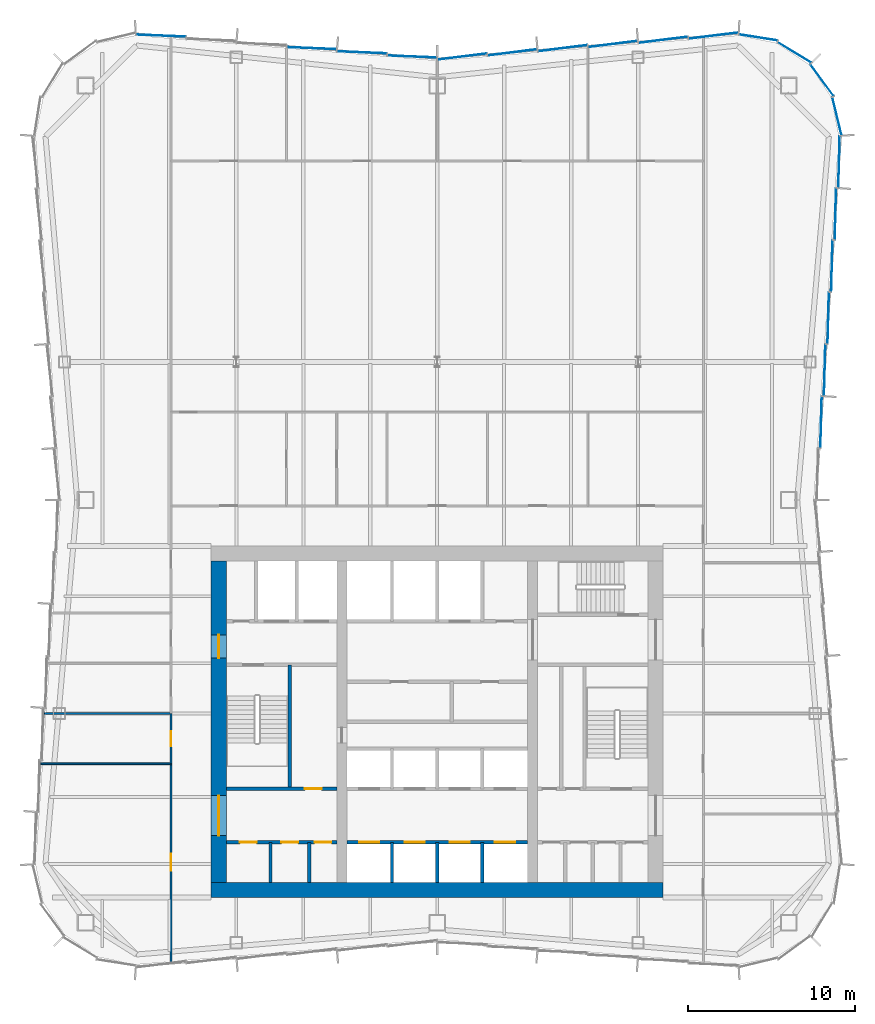
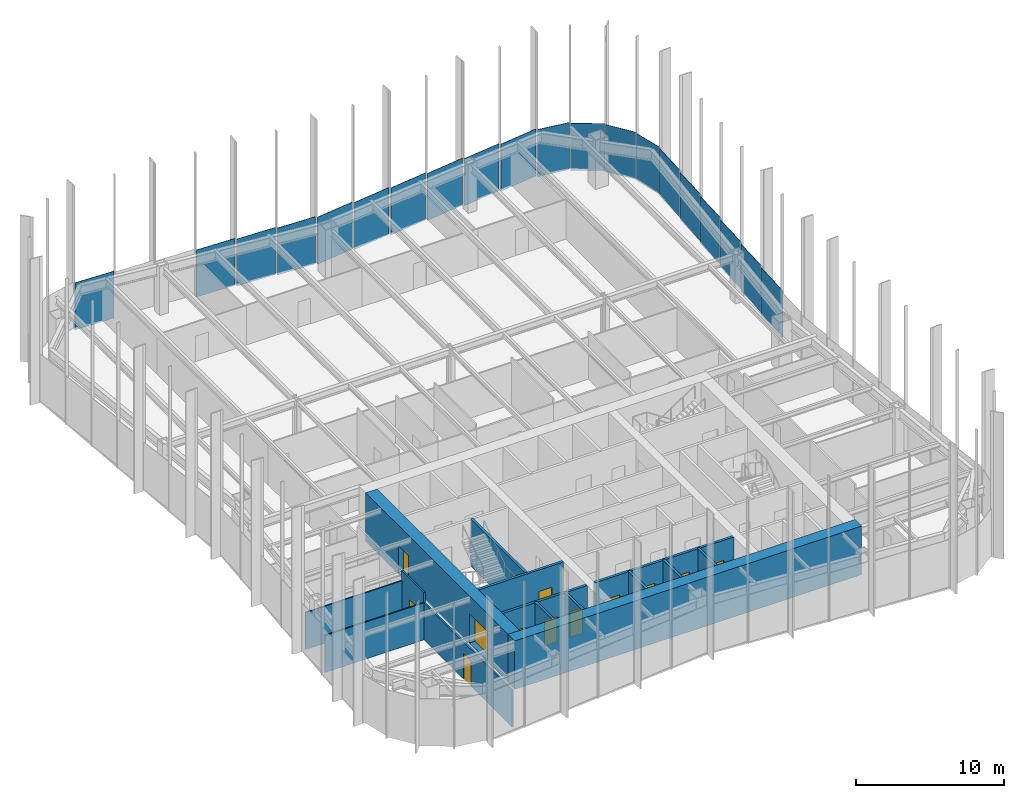
# One storey, part 9 of 13: 20 plates, 15 walls, 12 doors, 12 openings, 3 elements without a shape of their own.
"""IFC4 building model written with IfcOpenShell, lengths in metres."""

from ifc_helpers import new_model, si_unit, direction, frame, frame_2d, origin, origin_2d, place, context, subcontext, project, spatial, rectangle, extrude, material, layer, layer_set, type_object, element, fill, aggregate, save


model = new_model("IFC4")

# Units and contexts
model_context = context("Model", 3, precision=1e-05, world=origin(), true_north=direction((0.0, 1.0)))
body_context = subcontext(model_context, "Body", "Model", "MODEL_VIEW")
ifc_project = project(units=[si_unit("LENGTHUNIT", "METRE"), si_unit("AREAUNIT", "SQUARE_METRE"), si_unit("VOLUMEUNIT", "CUBIC_METRE"), si_unit("PLANEANGLEUNIT", "RADIAN"), si_unit("MASSUNIT", "GRAM", prefix="KILO")], contexts=[model_context])

# Site, building, storey
site_placement = place(None, origin())
site = spatial("IfcSite", under=ifc_project, at=site_placement, CompositionType="ELEMENT")
building_placement = place(site_placement, origin())
building = spatial("IfcBuilding", under=site, at=building_placement, Name="Verdant Reach Tower", CompositionType="ELEMENT")
storey_placement = place(building_placement, frame((0.0, 0.0, 194.0)))
storey = spatial("IfcBuildingStorey", under=building, at=storey_placement, Name="L44", CompositionType="ELEMENT", Elevation=194.0)

# Curtain wall, plate
ifc_material_1 = material(Name="Anodised aluminium", Category="aluminium")
curtain_wall_type = type_object("IfcCurtainWallType", Name="EN-CW SYSTEM Z3", PredefinedType="NOTDEFINED", material=ifc_material_1)
curtain_wall_1_placement = place(storey_placement, origin())
curtain_wall_1 = element("IfcCurtainWall", 1, at=curtain_wall_1_placement, inside=storey, type_object=curtain_wall_type, Name="Curtain wall east, L44", PredefinedType="NOTDEFINED")
ifc_material_2 = material(Name="Tinted glass with champagne spandrel", Category="glass")
ifc_layer_1 = layer(ifc_material_2, 0.031982421875)
ifc_layer_set_1 = layer_set([ifc_layer_1], Name="EN-PANEL CHAMPAGNE")
plate_type_1 = type_object("IfcPlateType", Name="EN-PANEL CHAMPAGNE", PredefinedType="CURTAIN_PANEL", material=ifc_layer_set_1)
plate_1_placement = place(storey_placement, frame((22.93017578125, 45.9033203125, -0.22412109375), z_axis=(0.0, 0.0, 1.0), x_axis=(0.026965318308, 0.999636369691, 0.0)))
plate_1 = element("IfcPlate", 2, at=plate_1_placement, type_object=plate_type_1, Name="Glass panel east face part 2 2.1, L44", PredefinedType="CURTAIN_PANEL", context=body_context, shape_type="SweptSolid", body=[
    extrude(rectangle(XDim=3.052490234375, YDim=0.031982421875, at=origin_2d()), origin(), (0.0, 0.0, 1.0), 3.8740234375),
])

# Curtain wall, plates
curtain_wall_2_placement = place(storey_placement, origin())
curtain_wall_2 = element("IfcCurtainWall", 3, at=curtain_wall_2_placement, inside=storey, type_object=curtain_wall_type, Name="Curtain wall north, L44", PredefinedType="NOTDEFINED")
plate_2_placement = place(storey_placement, frame((7.490966796875, 68.233642578125, -0.22412109375), z_axis=(0.0, 0.0, 1.0), x_axis=(-0.992194034542, -0.124703639961, 0.0)))
plate_2 = element("IfcPlate", 4, at=plate_2_placement, type_object=plate_type_1, Name="Glass panel north face part 1 4.1, L44", PredefinedType="CURTAIN_PANEL", context=body_context, shape_type="SweptSolid", body=[
    extrude(rectangle(XDim=2.948486328125, YDim=0.031982421875, at=origin_2d()), origin(), (0.0, 0.0, 1.0), 3.8740234375),
])
plate_3_placement = place(storey_placement, frame((4.490966796875, 67.983642578125, -0.22412109375), z_axis=(0.0, 0.0, 1.0), x_axis=(-0.992194034542, -0.124703639961, 0.0)))
plate_3 = element("IfcPlate", 5, at=plate_3_placement, type_object=plate_type_1, Name="Glass panel north face part 1 5.1, L44", PredefinedType="CURTAIN_PANEL", context=body_context, shape_type="SweptSolid", body=[
    extrude(rectangle(XDim=2.948486328125, YDim=0.031982421875, at=origin_2d()), origin(), (0.0, 0.0, 1.0), 3.8740234375),
])
plate_4_placement = place(storey_placement, frame((1.495361328125, 67.73388671875, -0.22412109375), z_axis=(0.0, 0.0, 1.0), x_axis=(-0.992178382939, -0.124828107529, 0.0)))
plate_4 = element("IfcPlate", 6, at=plate_4_placement, type_object=plate_type_1, Name="Glass panel north face part 1 6.1, L44", PredefinedType="CURTAIN_PANEL", context=body_context, shape_type="SweptSolid", body=[
    extrude(rectangle(XDim=2.939453125, YDim=0.031982421875, at=origin_2d()), origin(), (0.0, 0.0, 1.0), 3.8740234375),
])
plate_5_placement = place(storey_placement, frame((-16.49853515625, 68.983642578125, -0.22412109375), z_axis=(0.0, 0.0, 1.0), x_axis=(-0.999163623568, 0.040890748818, 0.0)))
plate_5 = element("IfcPlate", 7, at=plate_5_placement, type_object=plate_type_1, Name="Glass panel north face part 2 6.1, L44", PredefinedType="CURTAIN_PANEL", context=body_context, shape_type="SweptSolid", body=[
    extrude(rectangle(XDim=2.963623046875, YDim=0.031982421875, at=origin_2d()), origin(), (0.0, 0.0, 1.0), 3.8740234375),
])

# Plate
ifc_material_3 = material(Name="Tinted glass with copper spandrel", Category="glass")
ifc_layer_2 = layer(ifc_material_3, 0.031982421875)
ifc_layer_set_2 = layer_set([ifc_layer_2], Name="EN-PANEL COPPER")
plate_type_2 = type_object("IfcPlateType", Name="EN-PANEL COPPER", PredefinedType="CURTAIN_PANEL", material=ifc_layer_set_2)
plate_6_placement = place(storey_placement, frame((23.14453125, 49.01025390625, -0.22412109375), z_axis=(0.0, 0.0, 1.0), x_axis=(0.026965318308, 0.999636369691, 0.0)))
plate_6 = element("IfcPlate", 8, at=plate_6_placement, type_object=plate_type_2, Name="Glass panel east face part 2 3.1, L44", PredefinedType="CURTAIN_PANEL", context=body_context, shape_type="SweptSolid", body=[
    extrude(rectangle(XDim=3.052490234375, YDim=0.031982421875, at=origin_2d()), origin(), (0.0, 0.0, 1.0), 3.8740234375),
])

plate_7_placement = place(storey_placement, frame((23.358642578125, 52.117431640625, -0.22412109375), z_axis=(0.0, 0.0, 1.0), x_axis=(0.026965318308, 0.999636369691, 0.0)))
plate_7 = element("IfcPlate", 9, at=plate_7_placement, type_object=plate_type_2, Name="Glass panel east face part 2 4.1, L44", PredefinedType="CURTAIN_PANEL", context=body_context, shape_type="SweptSolid", body=[
    extrude(rectangle(XDim=3.052490234375, YDim=0.031982421875, at=origin_2d()), origin(), (0.0, 0.0, 1.0), 3.8740234375),
])

# Curtain wall, plates
curtain_wall_3_placement = place(storey_placement, origin())
curtain_wall_3 = element("IfcCurtainWall", 10, at=curtain_wall_3_placement, inside=storey, type_object=curtain_wall_type, Name="Curtain wall north-east corner, L44", PredefinedType="NOTDEFINED")
plate_8_placement = place(storey_placement, frame((23.87646484375, 64.17236328125, -0.22412109375), z_axis=(0.0, 0.0, 1.0), x_axis=(-0.23644624331, 0.97164457186, 0.0)))
plate_8 = element("IfcPlate", 11, at=plate_8_placement, type_object=plate_type_2, Name="Glass panel north-east corner 1.1, L44", PredefinedType="CURTAIN_PANEL", context=body_context, shape_type="SweptSolid", body=[
    extrude(rectangle(XDim=2.314697265625, YDim=0.031982421875, at=origin_2d()), origin(), (0.0, 0.0, 1.0), 3.8740234375),
])
plate_9_placement = place(storey_placement, frame((22.98193359375, 66.328857421875, -0.22412109375), z_axis=(0.0, 0.0, 1.0), x_axis=(-0.589926747542, 0.807456768214, 0.0)))
plate_9 = element("IfcPlate", 12, at=plate_9_placement, type_object=plate_type_2, Name="Glass panel north-east corner 2.1, L44", PredefinedType="CURTAIN_PANEL", context=body_context, shape_type="SweptSolid", body=[
    extrude(rectangle(XDim=2.321533203125, YDim=0.031982421875, at=origin_2d()), origin(), (0.0, 0.0, 1.0), 3.8740234375),
])
plate_10_placement = place(storey_placement, frame((21.328857421875, 67.98193359375, -0.22412109375), z_axis=(0.0, 0.0, 1.0), x_axis=(-0.853988701636, 0.520291550457, 0.0)))
plate_10 = element("IfcPlate", 13, at=plate_10_placement, type_object=plate_type_2, Name="Glass panel north-east corner 3.1, L44", PredefinedType="CURTAIN_PANEL", context=body_context, shape_type="SweptSolid", body=[
    extrude(rectangle(XDim=2.321533203125, YDim=0.031982421875, at=origin_2d()), origin(), (0.0, 0.0, 1.0), 3.8740234375),
])

# Plate
plate_11_placement = place(storey_placement, frame((16.49853515625, 68.983642578125, -0.22412109375), z_axis=(0.0, 0.0, 1.0), x_axis=(-0.992237766434, -0.124355196363, 0.0)))
plate_11 = element("IfcPlate", 14, at=plate_11_placement, type_object=plate_type_2, Name="Glass panel north face part 1 1.1, L44", PredefinedType="CURTAIN_PANEL", context=body_context, shape_type="SweptSolid", body=[
    extrude(rectangle(XDim=2.963623046875, YDim=0.031982421875, at=origin_2d()), origin(), (0.0, 0.0, 1.0), 3.8740234375),
])

plate_12_placement = place(storey_placement, frame((-1.495361328125, 67.73388671875, -0.22412109375), z_axis=(0.0, 0.0, 1.0), x_axis=(-0.999144020525, 0.041366970501, 0.0)))
plate_12 = element("IfcPlate", 15, at=plate_12_placement, type_object=plate_type_2, Name="Glass panel north face part 2 1.1, L44", PredefinedType="CURTAIN_PANEL", context=body_context, shape_type="SweptSolid", body=[
    extrude(rectangle(XDim=2.939453125, YDim=0.031982421875, at=origin_2d()), origin(), (0.0, 0.0, 1.0), 3.8740234375),
])

plate_13_placement = place(storey_placement, frame((-4.490966796875, 67.983642578125, -0.22412109375), z_axis=(0.0, 0.0, 1.0), x_axis=(-0.999149202059, 0.041241629766, 0.0)))
plate_13 = element("IfcPlate", 16, at=plate_13_placement, type_object=plate_type_2, Name="Glass panel north face part 2 2.1, L44", PredefinedType="CURTAIN_PANEL", context=body_context, shape_type="SweptSolid", body=[
    extrude(rectangle(XDim=2.948486328125, YDim=0.031982421875, at=origin_2d()), origin(), (0.0, 0.0, 1.0), 3.8740234375),
])

ifc_material_4 = material(Name="Tinted glass with dark bronze spandrel", Category="glass")
ifc_layer_3 = layer(ifc_material_4, 0.031982421875)
ifc_layer_set_3 = layer_set([ifc_layer_3], Name="EN-PANEL DARK")
plate_type_3 = type_object("IfcPlateType", Name="EN-PANEL DARK", PredefinedType="CURTAIN_PANEL", material=ifc_layer_set_3)
plate_14_placement = place(storey_placement, frame((23.572998046875, 55.224609375, -0.22412109375), z_axis=(0.0, 0.0, 1.0), x_axis=(0.026965318308, 0.999636369691, 0.0)))
plate_14 = element("IfcPlate", 17, at=plate_14_placement, type_object=plate_type_3, Name="Glass panel east face part 2 5.1, L44", PredefinedType="CURTAIN_PANEL", context=body_context, shape_type="SweptSolid", body=[
    extrude(rectangle(XDim=3.052490234375, YDim=0.031982421875, at=origin_2d()), origin(), (0.0, 0.0, 1.0), 3.8740234375),
])

plate_15_placement = place(storey_placement, frame((23.787353515625, 58.331787109375, -0.22412109375), z_axis=(0.0, 0.0, 1.0), x_axis=(0.026965318308, 0.999636369691, 0.0)))
plate_15 = element("IfcPlate", 18, at=plate_15_placement, type_object=plate_type_3, Name="Glass panel east face part 2 6.1, L44", PredefinedType="CURTAIN_PANEL", context=body_context, shape_type="SweptSolid", body=[
    extrude(rectangle(XDim=3.052490234375, YDim=0.031982421875, at=origin_2d()), origin(), (0.0, 0.0, 1.0), 3.8740234375),
])

plate_16_placement = place(storey_placement, frame((24.001708984375, 61.446044921875, -0.22412109375), z_axis=(0.0, 0.0, 1.0), x_axis=(0.026659626966, 0.999644568979, 0.0)))
plate_16 = element("IfcPlate", 19, at=plate_16_placement, type_object=plate_type_3, Name="Glass panel east face part 2 7.1, L44", PredefinedType="CURTAIN_PANEL", context=body_context, shape_type="SweptSolid", body=[
    extrude(rectangle(XDim=3.06689453125, YDim=0.031982421875, at=origin_2d()), origin(), (0.0, 0.0, 1.0), 3.8740234375),
])

aggregate(curtain_wall_1, [plate_1, plate_6, plate_7, plate_14, plate_15, plate_16])

plate_17_placement = place(storey_placement, frame((19.171875, 68.87646484375, -0.22412109375), z_axis=(0.0, 0.0, 1.0), x_axis=(-0.988029071555, 0.154267798848, 0.0)))
plate_17 = element("IfcPlate", 20, at=plate_17_placement, type_object=plate_type_3, Name="Glass panel north-east corner 4.1, L44", PredefinedType="CURTAIN_PANEL", context=body_context, shape_type="SweptSolid", body=[
    extrude(rectangle(XDim=2.3154296875, YDim=0.031982421875, at=origin_2d()), origin(), (0.0, 0.0, 1.0), 3.8740234375),
])

aggregate(curtain_wall_3, [plate_8, plate_9, plate_10, plate_17])

plate_18_placement = place(storey_placement, frame((13.490966796875, 68.733642578125, -0.22412109375), z_axis=(0.0, 0.0, 1.0), x_axis=(-0.992194034542, -0.124703639961, 0.0)))
plate_18 = element("IfcPlate", 21, at=plate_18_placement, type_object=plate_type_3, Name="Glass panel north face part 1 2.1, L44", PredefinedType="CURTAIN_PANEL", context=body_context, shape_type="SweptSolid", body=[
    extrude(rectangle(XDim=2.948486328125, YDim=0.031982421875, at=origin_2d()), origin(), (0.0, 0.0, 1.0), 3.8740234375),
])

plate_19_placement = place(storey_placement, frame((10.490966796875, 68.483642578125, -0.22412109375), z_axis=(0.0, 0.0, 1.0), x_axis=(-0.992194034542, -0.124703639961, 0.0)))
plate_19 = element("IfcPlate", 22, at=plate_19_placement, type_object=plate_type_3, Name="Glass panel north face part 1 3.1, L44", PredefinedType="CURTAIN_PANEL", context=body_context, shape_type="SweptSolid", body=[
    extrude(rectangle(XDim=2.948486328125, YDim=0.031982421875, at=origin_2d()), origin(), (0.0, 0.0, 1.0), 3.8740234375),
])

plate_20_placement = place(storey_placement, frame((-7.490966796875, 68.233642578125, -0.22412109375), z_axis=(0.0, 0.0, 1.0), x_axis=(-0.999149202059, 0.041241629766, 0.0)))
plate_20 = element("IfcPlate", 23, at=plate_20_placement, type_object=plate_type_3, Name="Glass panel north face part 2 3.1, L44", PredefinedType="CURTAIN_PANEL", context=body_context, shape_type="SweptSolid", body=[
    extrude(rectangle(XDim=2.948486328125, YDim=0.031982421875, at=origin_2d()), origin(), (0.0, 0.0, 1.0), 3.8740234375),
])

aggregate(curtain_wall_2, [plate_11, plate_18, plate_19, plate_2, plate_3, plate_4, plate_12, plate_13, plate_20, plate_5])

# Wall, openings, doors
ifc_material_5 = material(Name="Gypsum board on steel studs", Category="steel")
ifc_layer_4 = layer(ifc_material_5, 0.199951171875)
ifc_layer_set_4 = layer_set([ifc_layer_4], Name="CO-WALL-ROOM")
wall_type_1 = type_object("IfcWallType", Name="CO-WALL-ROOM", PredefinedType="PARTITIONING", material=ifc_layer_set_4)
wall_1_placement = place(storey_placement, frame((-12.60009765625, 20.800048828125, 0.0), z_axis=(0.0, 0.0, 1.0), x_axis=(1.0, 0.0, 0.0)))
wall_1 = element("IfcWall", 24, at=wall_1_placement, inside=storey, type_object=wall_type_1, Name="Core partition, L44", PredefinedType="PARTITIONING", context=body_context, shape_type="SweptSolid", body=[
    extrude(rectangle(XDim=6.60009765625, YDim=0.199951171875, at=frame_2d((3.300048828125, 0.0))), origin(), (0.0, 0.0, 1.0), 3.8701171875),
])
opening_1_placement = place(wall_1_placement, frame((0.820068359375, 0.0, 0.0)))
opening_1 = element("IfcOpeningElement", 25, at=opening_1_placement, cuts=wall_1, Name="Opening CD", PredefinedType="OPENING", context=body_context, shape_type="SweptSolid", body=[
    extrude(rectangle(XDim=1.0, YDim=2.10009765625, at=frame_2d((0.5, 1.050048828125))), frame((0.0, 0.10986328125, 0.0), z_axis=(0.0, -1.0, 0.0), x_axis=(1.0, 0.0, 0.0)), (0.0, 0.0, 1.0), 0.219970703125),
])
opening_2_placement = place(wall_1_placement, frame((3.294921875, 0.0, 0.0)))
opening_2 = element("IfcOpeningElement", 26, at=opening_2_placement, cuts=wall_1, Name="Opening CD", PredefinedType="OPENING", context=body_context, shape_type="SweptSolid", body=[
    extrude(rectangle(XDim=1.0, YDim=2.10009765625, at=frame_2d((0.5, 1.050048828125))), frame((0.0, 0.10986328125, 0.0), z_axis=(0.0, -1.0, 0.0), x_axis=(1.0, 0.0, 0.0)), (0.0, 0.0, 1.0), 0.219970703125),
])
opening_3_placement = place(wall_1_placement, frame((5.27490234375, 0.0, 0.0)))
opening_3 = element("IfcOpeningElement", 27, at=opening_3_placement, cuts=wall_1, Name="Opening CD", PredefinedType="OPENING", context=body_context, shape_type="SweptSolid", body=[
    extrude(rectangle(XDim=1.0, YDim=2.10009765625, at=frame_2d((0.5, 1.050048828125))), frame((0.0, 0.10986328125, 0.0), z_axis=(0.0, -1.0, 0.0), x_axis=(1.0, 0.0, 0.0)), (0.0, 0.0, 1.0), 0.219970703125),
])
ifc_material_6 = material(Name="Timber", Category="wood")
door_type_1 = type_object("IfcDoorType", Name="CO-DOOR-ROOM", OperationType="NOTDEFINED", PredefinedType="DOOR", material=ifc_material_6)
door_1_placement = place(opening_1_placement, origin())
door_1 = element("IfcDoor", 28, at=door_1_placement, inside=storey, type_object=door_type_1, Name="Core room door, L44", OperationType="SINGLE_SWING_LEFT", OverallHeight=2.10009765625, OverallWidth=1.0, PredefinedType="DOOR", context=body_context, shape_type="SweptSolid", body=[
    extrude(rectangle(XDim=1.0, YDim=2.10009765625, at=frame_2d((0.5, 1.050048828125))), frame((0.0, 0.02490234375, 0.0), z_axis=(0.0, -1.0, 0.0), x_axis=(1.0, 0.0, 0.0)), (0.0, 0.0, 1.0), 0.050048828125),
])
fill(opening_1, door_1)
door_2_placement = place(opening_2_placement, origin())
door_2 = element("IfcDoor", 29, at=door_2_placement, inside=storey, type_object=door_type_1, Name="Core room door, L44", OperationType="SINGLE_SWING_LEFT", OverallHeight=2.10009765625, OverallWidth=1.0, PredefinedType="DOOR", context=body_context, shape_type="SweptSolid", body=[
    extrude(rectangle(XDim=1.0, YDim=2.10009765625, at=frame_2d((0.5, 1.050048828125))), frame((0.0, 0.02490234375, 0.0), z_axis=(0.0, -1.0, 0.0), x_axis=(1.0, 0.0, 0.0)), (0.0, 0.0, 1.0), 0.050048828125),
])
fill(opening_2, door_2)
door_3_placement = place(opening_3_placement, origin())
door_3 = element("IfcDoor", 30, at=door_3_placement, inside=storey, type_object=door_type_1, Name="Core room door, L44", OperationType="SINGLE_SWING_RIGHT", OverallHeight=2.10009765625, OverallWidth=1.0, PredefinedType="DOOR", context=body_context, shape_type="SweptSolid", body=[
    extrude(rectangle(XDim=1.0, YDim=2.10009765625, at=frame_2d((0.5, 1.050048828125))), frame((0.0, 0.02490234375, 0.0), z_axis=(0.0, -1.0, 0.0), x_axis=(1.0, 0.0, 0.0)), (0.0, 0.0, 1.0), 0.050048828125),
])
fill(opening_3, door_3)

# Walls
for number, where, z_axis, x_axis, name in (
    (31, (-9.9599609375, 18.39990234375, 0.0), (0.0, 0.0, 1.0), (0.0, 1.0, 0.0), "Core partition, L44"),
    (32, (-7.64990234375, 18.39990234375, 0.0), (0.0, 0.0, 1.0), (0.0, 1.0, 0.0), "Core partition, L44"),
):
    element("IfcWall", number, at=place(storey_placement, frame(where, z_axis=z_axis, x_axis=x_axis)), inside=storey, type_object=wall_type_1, Name=name, PredefinedType="PARTITIONING", context=body_context, shape_type="SweptSolid", body=[
        extrude(rectangle(XDim=2.400146484375, YDim=0.199951171875, at=frame_2d((1.2001953125, 0.0))), origin(), (0.0, 0.0, 1.0), 3.8701171875),
    ])

# Wall, openings, doors
ifc_material_7 = material(Name="Concrete C40/50", Category="concrete")
ifc_layer_5 = layer(ifc_material_7, 0.199951171875)
ifc_layer_set_5 = layer_set([ifc_layer_5], Name="CO-WALL-SHAFT")
wall_type_2 = type_object("IfcWallType", Name="CO-WALL-SHAFT", PredefinedType="PARTITIONING", material=ifc_layer_set_5)
wall_2_placement = place(storey_placement, frame((-5.39990234375, 20.800048828125, 0.0), z_axis=(0.0, 0.0, 1.0), x_axis=(1.0, 0.0, 0.0)))
wall_2 = element("IfcWall", 33, at=wall_2_placement, inside=storey, type_object=wall_type_2, Name="Lift shaft wall, L44", PredefinedType="PARTITIONING", context=body_context, shape_type="SweptSolid", body=[
    extrude(rectangle(XDim=10.7998046875, YDim=0.199951171875, at=frame_2d((5.39990234375, 0.0))), origin(), (0.0, 0.0, 1.0), 3.8701171875),
])
opening_4_placement = place(wall_2_placement, frame((0.75, 0.0, 0.0)))
opening_4 = element("IfcOpeningElement", 34, at=opening_4_placement, cuts=wall_2, Name="Opening LD-B1", PredefinedType="OPENING", context=body_context, shape_type="SweptSolid", body=[
    extrude(rectangle(XDim=1.199951171875, YDim=2.199951171875, at=frame_2d((0.60009765625, 1.10009765625))), frame((0.0, 0.10986328125, 0.0), z_axis=(0.0, -1.0, 0.0), x_axis=(1.0, 0.0, 0.0)), (0.0, 0.0, 1.0), 0.219970703125),
])
opening_5_placement = place(wall_2_placement, frame((3.449951171875, 0.0, 0.0)))
opening_5 = element("IfcOpeningElement", 35, at=opening_5_placement, cuts=wall_2, Name="Opening LD-B2", PredefinedType="OPENING", context=body_context, shape_type="SweptSolid", body=[
    extrude(rectangle(XDim=1.199951171875, YDim=2.199951171875, at=frame_2d((0.60009765625, 1.10009765625))), frame((0.0, 0.10986328125, 0.0), z_axis=(0.0, -1.0, 0.0), x_axis=(1.0, 0.0, 0.0)), (0.0, 0.0, 1.0), 0.219970703125),
])
opening_6_placement = place(wall_2_placement, frame((6.14990234375, 0.0, 0.0)))
opening_6 = element("IfcOpeningElement", 36, at=opening_6_placement, cuts=wall_2, Name="Opening LD-B3", PredefinedType="OPENING", context=body_context, shape_type="SweptSolid", body=[
    extrude(rectangle(XDim=1.199951171875, YDim=2.199951171875, at=frame_2d((0.60009765625, 1.10009765625))), frame((0.0, 0.10986328125, 0.0), z_axis=(0.0, -1.0, 0.0), x_axis=(1.0, 0.0, 0.0)), (0.0, 0.0, 1.0), 0.219970703125),
])
opening_7_placement = place(wall_2_placement, frame((8.85009765625, 0.0, 0.0)))
opening_7 = element("IfcOpeningElement", 37, at=opening_7_placement, cuts=wall_2, Name="Opening LD-B4", PredefinedType="OPENING", context=body_context, shape_type="SweptSolid", body=[
    extrude(rectangle(XDim=1.199951171875, YDim=2.199951171875, at=frame_2d((0.60009765625, 1.10009765625))), frame((0.0, 0.10986328125, 0.0), z_axis=(0.0, -1.0, 0.0), x_axis=(1.0, 0.0, 0.0)), (0.0, 0.0, 1.0), 0.219970703125),
])
ifc_material_8 = material(Name="Stainless steel", Category="steel")
door_type_2 = type_object("IfcDoorType", Name="CO-DOOR-LANDING", OperationType="SLIDING_TO_LEFT", PredefinedType="DOOR", material=ifc_material_8)
door_4_placement = place(opening_4_placement, origin())
door_4 = element("IfcDoor", 38, at=door_4_placement, inside=storey, type_object=door_type_2, Name="Landing door B1, L44", OperationType="SLIDING_TO_LEFT", OverallHeight=2.199951171875, OverallWidth=1.199951171875, PredefinedType="DOOR", context=body_context, shape_type="SweptSolid", body=[
    extrude(rectangle(XDim=1.199951171875, YDim=2.199951171875, at=frame_2d((0.60009765625, 1.10009765625))), frame((0.0, 0.02490234375, 0.0), z_axis=(0.0, -1.0, 0.0), x_axis=(1.0, 0.0, 0.0)), (0.0, 0.0, 1.0), 0.050048828125),
])
fill(opening_4, door_4)
door_5_placement = place(opening_5_placement, origin())
door_5 = element("IfcDoor", 39, at=door_5_placement, inside=storey, type_object=door_type_2, Name="Landing door B2, L44", OperationType="SLIDING_TO_LEFT", OverallHeight=2.199951171875, OverallWidth=1.199951171875, PredefinedType="DOOR", context=body_context, shape_type="SweptSolid", body=[
    extrude(rectangle(XDim=1.199951171875, YDim=2.199951171875, at=frame_2d((0.60009765625, 1.10009765625))), frame((0.0, 0.02490234375, 0.0), z_axis=(0.0, -1.0, 0.0), x_axis=(1.0, 0.0, 0.0)), (0.0, 0.0, 1.0), 0.050048828125),
])
fill(opening_5, door_5)
door_6_placement = place(opening_6_placement, origin())
door_6 = element("IfcDoor", 40, at=door_6_placement, inside=storey, type_object=door_type_2, Name="Landing door B3, L44", OperationType="SLIDING_TO_LEFT", OverallHeight=2.199951171875, OverallWidth=1.199951171875, PredefinedType="DOOR", context=body_context, shape_type="SweptSolid", body=[
    extrude(rectangle(XDim=1.199951171875, YDim=2.199951171875, at=frame_2d((0.60009765625, 1.10009765625))), frame((0.0, 0.02490234375, 0.0), z_axis=(0.0, -1.0, 0.0), x_axis=(1.0, 0.0, 0.0)), (0.0, 0.0, 1.0), 0.050048828125),
])
fill(opening_6, door_6)
door_7_placement = place(opening_7_placement, origin())
door_7 = element("IfcDoor", 41, at=door_7_placement, inside=storey, type_object=door_type_2, Name="Landing door B4, L44", OperationType="SLIDING_TO_LEFT", OverallHeight=2.199951171875, OverallWidth=1.199951171875, PredefinedType="DOOR", context=body_context, shape_type="SweptSolid", body=[
    extrude(rectangle(XDim=1.199951171875, YDim=2.199951171875, at=frame_2d((0.60009765625, 1.10009765625))), frame((0.0, 0.02490234375, 0.0), z_axis=(0.0, -1.0, 0.0), x_axis=(1.0, 0.0, 0.0)), (0.0, 0.0, 1.0), 0.050048828125),
])
fill(opening_7, door_7)

# Walls
for number, where, z_axis, x_axis, name in (
    (42, (-2.699951171875, 18.39990234375, 0.0), (0.0, 0.0, 1.0), (0.0, 1.0, 0.0), "Lift shaft wall, L44"),
    (43, (0.0, 18.39990234375, 0.0), (0.0, 0.0, 1.0), (0.0, 1.0, 0.0), "Lift shaft wall, L44"),
    (44, (2.699951171875, 18.39990234375, 0.0), (0.0, 0.0, 1.0), (0.0, 1.0, 0.0), "Lift shaft wall, L44"),
):
    element("IfcWall", number, at=place(storey_placement, frame(where, z_axis=z_axis, x_axis=x_axis)), inside=storey, type_object=wall_type_2, Name=name, PredefinedType="PARTITIONING", context=body_context, shape_type="SweptSolid", body=[
        extrude(rectangle(XDim=2.400146484375, YDim=0.199951171875, at=frame_2d((1.2001953125, 0.0))), origin(), (0.0, 0.0, 1.0), 3.8701171875),
    ])

# Wall, opening, door
ifc_layer_6 = layer(ifc_material_7, 0.199951171875)
ifc_layer_set_6 = layer_set([ifc_layer_6], Name="CO-WALL-STAIR")
wall_type_3 = type_object("IfcWallType", Name="CO-WALL-STAIR", PredefinedType="PARTITIONING", material=ifc_layer_set_6)
wall_3_placement = place(storey_placement, frame((-12.60009765625, 24.0, 0.0), z_axis=(0.0, 0.0, 1.0), x_axis=(1.0, 0.0, 0.0)))
wall_3 = element("IfcWall", 45, at=wall_3_placement, inside=storey, type_object=wall_type_3, Name="Stair enclosure wall, L44", PredefinedType="PARTITIONING", context=body_context, shape_type="SweptSolid", body=[
    extrude(rectangle(XDim=6.60009765625, YDim=0.199951171875, at=frame_2d((3.300048828125, 0.0))), origin(), (0.0, 0.0, 1.0), 3.8701171875),
])
opening_8_placement = place(wall_3_placement, frame((4.699951171875, 0.0, 0.0)))
opening_8 = element("IfcOpeningElement", 46, at=opening_8_placement, cuts=wall_3, Name="Opening CD", PredefinedType="OPENING", context=body_context, shape_type="SweptSolid", body=[
    extrude(rectangle(XDim=1.0, YDim=2.10009765625, at=frame_2d((0.5, 1.050048828125))), frame((0.0, 0.10986328125, 0.0), z_axis=(0.0, -1.0, 0.0), x_axis=(1.0, 0.0, 0.0)), (0.0, 0.0, 1.0), 0.219970703125),
])
door_8_placement = place(opening_8_placement, origin())
door_8 = element("IfcDoor", 47, at=door_8_placement, inside=storey, type_object=door_type_1, Name="Core room door, L44", OperationType="SINGLE_SWING_LEFT", OverallHeight=2.10009765625, OverallWidth=1.0, PredefinedType="DOOR", context=body_context, shape_type="SweptSolid", body=[
    extrude(rectangle(XDim=1.0, YDim=2.10009765625, at=frame_2d((0.5, 1.050048828125))), frame((0.0, 0.02490234375, 0.0), z_axis=(0.0, -1.0, 0.0), x_axis=(1.0, 0.0, 0.0)), (0.0, 0.0, 1.0), 0.050048828125),
])
fill(opening_8, door_8)

# Walls
wall_4_placement = place(storey_placement, frame((-8.800048828125, 24.0, 0.0), z_axis=(0.0, 0.0, 1.0), x_axis=(0.0, 1.0, 0.0)))
element("IfcWall", 48, at=wall_4_placement, inside=storey, type_object=wall_type_3, Name="Stair enclosure wall, L44", PredefinedType="PARTITIONING", context=body_context, shape_type="SweptSolid", body=[
    extrude(rectangle(XDim=7.39990234375, YDim=0.199951171875, at=frame_2d((3.699951171875, 0.0))), origin(), (0.0, 0.0, 1.0), 3.8701171875),
])
ifc_layer_7 = layer(ifc_material_5, 0.10009765625)
ifc_layer_set_7 = layer_set([ifc_layer_7], Name="FL-W1 Partition 100")
wall_type_4 = type_object("IfcWallType", Name="FL-W1 Partition 100", PredefinedType="PARTITIONING", material=ifc_layer_set_7)
wall_5_placement = place(storey_placement, frame((-15.89990234375, 25.5, 0.0), z_axis=(0.0, 0.0, 1.0), x_axis=(-1.0, 0.0, 0.0)))
element("IfcWall", 49, at=wall_5_placement, inside=storey, type_object=wall_type_4, Name="Partition 44.40", PredefinedType="PARTITIONING", context=body_context, shape_type="SweptSolid", body=[
    extrude(rectangle(XDim=7.766357421875, YDim=0.10009765625, at=frame_2d((3.88330078125, 0.0))), origin(), (0.0, 0.0, 1.0), 3.0400390625),
])
wall_6_placement = place(storey_placement, frame((-15.89990234375, 28.5, 0.0), z_axis=(0.0, 0.0, 1.0), x_axis=(-1.0, 0.0, 0.0)))
element("IfcWall", 50, at=wall_6_placement, inside=storey, type_object=wall_type_4, Name="Partition 44.41", PredefinedType="PARTITIONING", context=body_context, shape_type="SweptSolid", body=[
    extrude(rectangle(XDim=7.559326171875, YDim=0.10009765625, at=frame_2d((3.77978515625, 0.0))), origin(), (0.0, 0.0, 1.0), 3.0400390625),
])

# Wall, opening, door
ifc_material_9 = material(Name="Gypsum board on steel studs, fire rated", Category="steel")
ifc_layer_8 = layer(ifc_material_9, 0.125)
ifc_layer_set_8 = layer_set([ifc_layer_8], Name="FL-W2 Corridor wall 125")
wall_type_5 = type_object("IfcWallType", Name="FL-W2 Corridor wall 125", PredefinedType="PARTITIONING", material=ifc_layer_set_8)
wall_7_placement = place(storey_placement, frame((-15.89990234375, 13.594970703125, 0.0), z_axis=(0.0, 0.0, 1.0), x_axis=(0.0, 1.0, 0.0)))
wall_7 = element("IfcWall", 51, at=wall_7_placement, inside=storey, type_object=wall_type_5, Name="Partition 44.07", PredefinedType="PARTITIONING", context=body_context, shape_type="SweptSolid", body=[
    extrude(rectangle(XDim=11.905029296875, YDim=0.125, at=frame_2d((5.95263671875, 0.0))), origin(), (0.0, 0.0, 1.0), 3.0400390625),
])
opening_9_placement = place(wall_7_placement, frame((5.517578125, 0.0, 0.0)))
opening_9 = element("IfcOpeningElement", 52, at=opening_9_placement, cuts=wall_7, Name="Opening D2", PredefinedType="OPENING", context=body_context, shape_type="SweptSolid", body=[
    extrude(rectangle(XDim=1.0, YDim=2.10009765625, at=frame_2d((0.5, 1.050048828125))), frame((0.0, 0.072509765625, 0.0), z_axis=(0.0, -1.0, 0.0), x_axis=(1.0, 0.0, 0.0)), (0.0, 0.0, 1.0), 0.14501953125),
])
ifc_material_10 = material(Name="Timber door leaf, fire rated", Category="wood")
door_type_3 = type_object("IfcDoorType", Name="FL-D2 Entrance door 1000x2100 FD30", OperationType="NOTDEFINED", PredefinedType="DOOR", material=ifc_material_10)
door_9_placement = place(opening_9_placement, origin())
door_9 = element("IfcDoor", 53, at=door_9_placement, inside=storey, type_object=door_type_3, Name="Door 44-005", OperationType="SINGLE_SWING_RIGHT", OverallHeight=2.10009765625, OverallWidth=1.0, PredefinedType="DOOR", context=body_context, shape_type="SweptSolid", body=[
    extrude(rectangle(XDim=1.0, YDim=2.10009765625, at=frame_2d((0.5, 1.050048828125))), frame((0.0, 0.02490234375, 0.0), z_axis=(0.0, -1.0, 0.0), x_axis=(1.0, 0.0, 0.0)), (0.0, 0.0, 1.0), 0.050048828125),
])
fill(opening_9, door_9)

wall_8_placement = place(storey_placement, frame((-15.89990234375, 25.5, 0.0), z_axis=(0.0, 0.0, 1.0), x_axis=(0.0, 1.0, 0.0)))
wall_8 = element("IfcWall", 54, at=wall_8_placement, inside=storey, type_object=wall_type_5, Name="Partition 44.08", PredefinedType="PARTITIONING", context=body_context, shape_type="SweptSolid", body=[
    extrude(rectangle(XDim=3.0, YDim=0.125, at=frame_2d((1.5, 0.0))), origin(), (0.0, 0.0, 1.0), 3.8701171875),
])
opening_10_placement = place(wall_8_placement, frame((1.050048828125, 0.0, 0.0)))
opening_10 = element("IfcOpeningElement", 55, at=opening_10_placement, cuts=wall_8, Name="Opening D1", PredefinedType="OPENING", context=body_context, shape_type="SweptSolid", body=[
    extrude(rectangle(XDim=0.89990234375, YDim=2.10009765625, at=frame_2d((0.449951171875, 1.050048828125))), frame((0.0, 0.072509765625, 0.0), z_axis=(0.0, -1.0, 0.0), x_axis=(1.0, 0.0, 0.0)), (0.0, 0.0, 1.0), 0.14501953125),
])
ifc_material_11 = material(Name="Painted timber door leaf", Category="wood")
door_type_4 = type_object("IfcDoorType", Name="FL-D1 Door 900x2100", OperationType="NOTDEFINED", PredefinedType="DOOR", material=ifc_material_11)
door_10_placement = place(opening_10_placement, origin())
door_10 = element("IfcDoor", 56, at=door_10_placement, inside=storey, type_object=door_type_4, Name="Door 44-006", OperationType="SINGLE_SWING_RIGHT", OverallHeight=2.10009765625, OverallWidth=0.89990234375, PredefinedType="DOOR", context=body_context, shape_type="SweptSolid", body=[
    extrude(rectangle(XDim=0.89990234375, YDim=2.10009765625, at=frame_2d((0.449951171875, 1.050048828125))), frame((0.0, 0.02490234375, 0.0), z_axis=(0.0, -1.0, 0.0), x_axis=(1.0, 0.0, 0.0)), (0.0, 0.0, 1.0), 0.050048828125),
])
fill(opening_10, door_10)

# Wall
ifc_material_12 = material(Name="Concrete C70/85", Category="concrete")
ifc_layer_9 = layer(ifc_material_12, 0.89990234375)
ifc_layer_set_9 = layer_set([ifc_layer_9], Name="ST-CORE-WALL-900")
wall_type_6 = type_object("IfcWallType", Name="ST-CORE-WALL-900", PredefinedType="SHEAR", material=ifc_layer_set_9)
wall_9_placement = place(storey_placement, frame((-13.5, 17.949951171875, -0.1298828125), z_axis=(0.0, 0.0, 1.0), x_axis=(1.0, 0.0, 0.0)))
element("IfcWall", 57, at=wall_9_placement, inside=storey, type_object=wall_type_6, Name="Core wall S, L44", PredefinedType="SHEAR", context=body_context, shape_type="SweptSolid", body=[
    extrude(rectangle(XDim=27.0, YDim=0.89990234375, at=frame_2d((13.5, 0.0))), origin(), (0.0, 0.0, 1.0), 4.0),
])

# Wall, openings, doors
wall_10_placement = place(storey_placement, frame((-13.050048828125, 18.39990234375, -0.1298828125), z_axis=(0.0, 0.0, 1.0), x_axis=(0.0, 1.0, 0.0)))
wall_10 = element("IfcWall", 58, at=wall_10_placement, inside=storey, type_object=wall_type_6, Name="Core wall W, L44", PredefinedType="SHEAR", context=body_context, shape_type="SweptSolid", body=[
    extrude(rectangle(XDim=19.2001953125, YDim=0.89990234375, at=frame_2d((9.60009765625, 0.0))), origin(), (0.0, 0.0, 1.0), 4.0),
])
opening_11_placement = place(wall_10_placement, frame((2.800048828125, 0.0, 0.1298828125)))
opening_11 = element("IfcOpeningElement", 59, at=opening_11_placement, cuts=wall_10, Name="Opening LB", PredefinedType="OPENING", context=body_context, shape_type="SweptSolid", body=[
    extrude(rectangle(XDim=2.39990234375, YDim=2.39990234375, at=frame_2d((1.199951171875, 1.199951171875))), frame((0.0, 0.4599609375, 0.0), z_axis=(0.0, -1.0, 0.0), x_axis=(1.0, 0.0, 0.0)), (0.0, 0.0, 1.0), 0.919921875),
])
opening_12_placement = place(wall_10_placement, frame((13.39990234375, 0.0, 0.1298828125)))
opening_12 = element("IfcOpeningElement", 60, at=opening_12_placement, cuts=wall_10, Name="Opening FL", PredefinedType="OPENING", context=body_context, shape_type="SweptSolid", body=[
    extrude(rectangle(XDim=1.39990234375, YDim=2.199951171875, at=frame_2d((0.699951171875, 1.10009765625))), frame((0.0, 0.4599609375, 0.0), z_axis=(0.0, -1.0, 0.0), x_axis=(1.0, 0.0, 0.0)), (0.0, 0.0, 1.0), 0.919921875),
])
ifc_material_13 = material(Name="Steel", Category="steel")
door_type_5 = type_object("IfcDoorType", Name="CO-DOOR-FFL", OperationType="NOTDEFINED", PredefinedType="DOOR", material=ifc_material_13)
door_11_placement = place(opening_12_placement, origin())
door_11 = element("IfcDoor", 61, at=door_11_placement, inside=storey, type_object=door_type_5, Name="Core entrance door, L44", OperationType="SINGLE_SWING_RIGHT", OverallHeight=2.199951171875, OverallWidth=1.39990234375, PredefinedType="DOOR", context=body_context, shape_type="SweptSolid", body=[
    extrude(rectangle(XDim=1.39990234375, YDim=2.199951171875, at=frame_2d((0.699951171875, 1.10009765625))), frame((0.0, 0.02490234375, 0.0), z_axis=(0.0, -1.0, 0.0), x_axis=(1.0, 0.0, 0.0)), (0.0, 0.0, 1.0), 0.050048828125),
])
fill(opening_12, door_11)
ifc_material_14 = material(Name="Glass and steel", Category="steel")
door_type_6 = type_object("IfcDoorType", Name="CO-DOOR-LOBBY", OperationType="DOUBLE_DOOR_SINGLE_SWING", PredefinedType="DOOR", material=ifc_material_14)
door_12_placement = place(opening_11_placement, origin())
door_12 = element("IfcDoor", 62, at=door_12_placement, inside=storey, type_object=door_type_6, Name="Core entrance door, L44", OperationType="DOUBLE_DOOR_SINGLE_SWING", OverallHeight=2.39990234375, OverallWidth=2.39990234375, PredefinedType="DOOR", context=body_context, shape_type="SweptSolid", body=[
    extrude(rectangle(XDim=2.39990234375, YDim=2.39990234375, at=frame_2d((1.199951171875, 1.199951171875))), frame((0.0, 0.02490234375, 0.0), z_axis=(0.0, -1.0, 0.0), x_axis=(1.0, 0.0, 0.0)), (0.0, 0.0, 1.0), 0.050048828125),
])
fill(opening_11, door_12)

save(model, "model.ifc")
